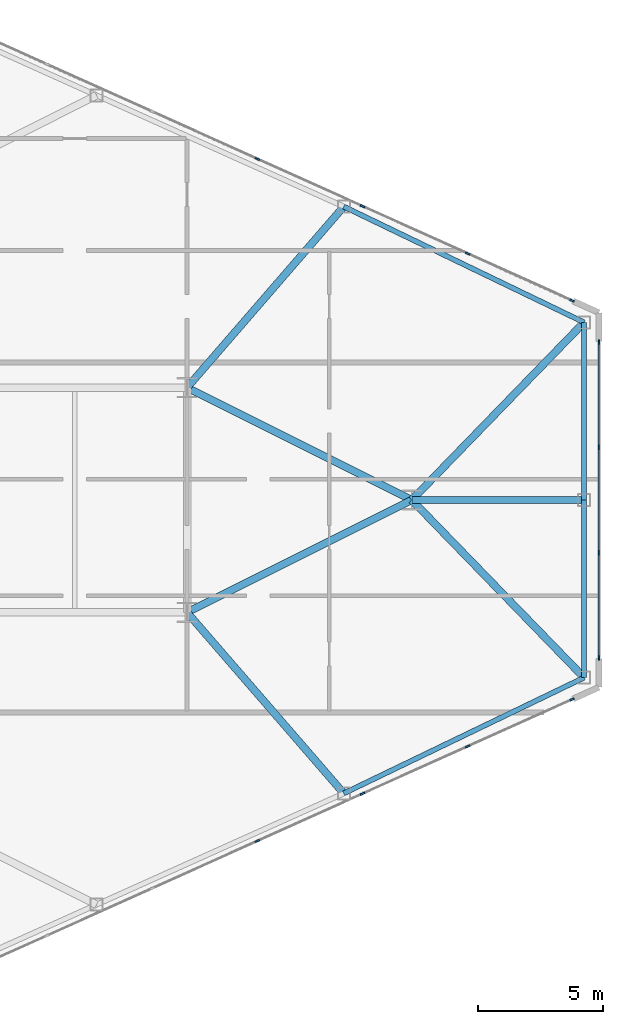
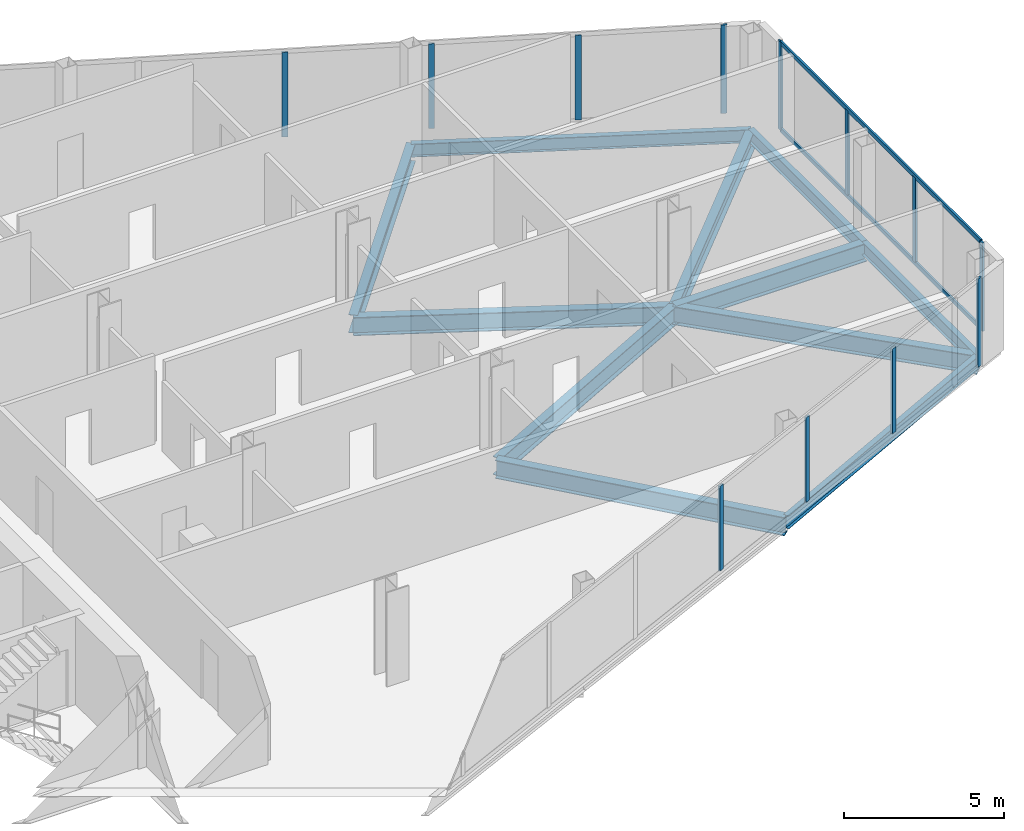
# One storey, part 16 of 27: 14 members, 11 beams, 3 elements without a shape of their own.
"""IFC4 building model written with IfcOpenShell, lengths in metres."""

from ifc_helpers import new_model, si_unit, direction, frame, origin, origin_2d, place, context, subcontext, project, spatial, rectangle, i_section, extrude, source, transform, mapped, material, layer, layer_set, material_profile, profile_set, type_object, type_shapes, element, aggregate, save


model = new_model("IFC4")

# Units and contexts
model_context = context("Model", 3, precision=1e-05, world=origin(), true_north=direction((0.0, 1.0)))
body_context = subcontext(model_context, "Body", "Model", "MODEL_VIEW")
ifc_project = project(units=[si_unit("LENGTHUNIT", "METRE"), si_unit("AREAUNIT", "SQUARE_METRE"), si_unit("VOLUMEUNIT", "CUBIC_METRE"), si_unit("PLANEANGLEUNIT", "RADIAN"), si_unit("MASSUNIT", "GRAM", prefix="KILO")], contexts=[model_context])

# Site, building, storey
site_placement = place(None, origin())
site = spatial("IfcSite", under=ifc_project, at=site_placement, CompositionType="ELEMENT")
building_placement = place(site_placement, origin())
building = spatial("IfcBuilding", under=site, at=building_placement, Name="Seokmaru Belvedere", CompositionType="ELEMENT")
storey_placement = place(building_placement, frame((0.0, 0.0, 69.300048828125)))
storey = spatial("IfcBuildingStorey", under=building, at=storey_placement, Name="L18", CompositionType="ELEMENT", Elevation=69.300048828125)

# Beams
ifc_material_1 = material(Name="Steel SM355 (355 MPa)", Category="steel")
ifc_material_profile_1 = material_profile(ifc_material_1, i_section(OverallWidth=0.300048828125, OverallDepth=0.699951171875, WebThickness=0.012939453125, FlangeThickness=0.02392578125, at=origin_2d()), Name="H-700x300x13x24")
ifc_profile_set_1 = profile_set([ifc_material_profile_1], Name="Steel SM355 (355 MPa)")
beam_type_1 = type_object("IfcBeamType", Name="Primary Floor Girder H-700", PredefinedType="BEAM", material=ifc_profile_set_1)
shared_shape_1 = source(origin(), body_context, "Body", "SweptSolid", [
    extrude(i_section(OverallWidth=0.300048828125, OverallDepth=0.699951171875, WebThickness=0.012939453125, FlangeThickness=0.02392578125, at=origin_2d()), origin(), (0.0, 0.0, 1.0), 10.062255859375),
])
for number, where, z_axis, x_axis, name in (
    (1, (54.5, -4.5, -0.570068359375), (0.894427191, 0.4472135955, 0.0), (-0.4472135955, 0.894427191, 0.0), "L18 E Apex Converging Girder 1"),
    (2, (54.5, 4.5, -0.570068359375), (0.894427191, -0.4472135955, 0.0), (0.4472135955, 0.894427191, 0.0), "L18 E Apex Converging Girder 2"),
):
    element("IfcBeam", number, at=place(storey_placement, frame(where, z_axis=z_axis, x_axis=x_axis)), inside=storey, type_object=beam_type_1, Name=name, PredefinedType="BEAM", context=body_context, shape_type="MappedRepresentation", body=[
        mapped(shared_shape_1, transform((0.0, 0.0, 0.0), scale=1.0)),
    ])
ifc_material_profile_2 = material_profile(ifc_material_1, i_section(OverallWidth=0.199951171875, OverallDepth=0.5, WebThickness=0.010009765625, FlangeThickness=0.01611328125, at=origin_2d()), Name="H-500x200x10x16")
ifc_profile_set_2 = profile_set([ifc_material_profile_2], Name="Steel SM355 (355 MPa)")
beam_type_2 = type_object("IfcBeamType", Name="Perimeter Spandrel Beam H-500", PredefinedType="SPANDREL", material=ifc_profile_set_2)
shared_shape_2 = source(origin(), body_context, "Body", "SweptSolid", [
    extrude(i_section(OverallWidth=0.199951171875, OverallDepth=0.5, WebThickness=0.010009765625, FlangeThickness=0.01611328125, at=origin_2d()), origin(), (0.0, 0.0, 1.0), 10.681396484375),
])
for number, where, z_axis, x_axis, name in (
    (3, (60.777587890625, -11.749267578125, -0.469970703125), (0.900846426616, 0.434137899352, 0.0), (-0.434137899352, 0.900846426616, 0.0), "L18 E Faceted Flank Spandrel S-4"),
    (4, (60.777587890625, 11.749267578125, -0.469970703125), (0.900846426616, -0.434137899352, 0.0), (0.434137899352, 0.900846426616, 0.0), "L18 E Faceted Flank Spandrel N-4"),
):
    element("IfcBeam", number, at=place(storey_placement, frame(where, z_axis=z_axis, x_axis=x_axis)), inside=storey, type_object=beam_type_2, Name=name, PredefinedType="SPANDREL", context=body_context, shape_type="MappedRepresentation", body=[
        mapped(shared_shape_2, transform((0.0, 0.0, 0.0), scale=1.0)),
    ])
shared_shape_3 = source(origin(), body_context, "Body", "SweptSolid", [
    extrude(i_section(OverallWidth=0.199951171875, OverallDepth=0.5, WebThickness=0.010009765625, FlangeThickness=0.01611328125, at=origin_2d()), origin(), (0.0, 0.0, 1.0), 7.112060546875),
])
type_shapes(beam_type_2, [shared_shape_2, shared_shape_3])
for number, where, z_axis, x_axis, name in (
    (5, (70.39990234375, -7.112060546875, -0.469970703125), (0.0, 1.0, 0.0), (-1.0, 0.0, 0.0), "L18 E Faceted Apex Spandrel S"),
    (6, (70.39990234375, 0.0, -0.469970703125), (0.0, 1.0, 0.0), (-1.0, 0.0, 0.0), "L18 E Faceted Apex Spandrel N"),
):
    element("IfcBeam", number, at=place(storey_placement, frame(where, z_axis=z_axis, x_axis=x_axis)), inside=storey, type_object=beam_type_2, Name=name, PredefinedType="SPANDREL", context=body_context, shape_type="MappedRepresentation", body=[
        mapped(shared_shape_3, transform((0.0, 0.0, 0.0), scale=1.0)),
    ])
shared_shape_4 = source(origin(), body_context, "Body", "SweptSolid", [
    extrude(i_section(OverallWidth=0.300048828125, OverallDepth=0.699951171875, WebThickness=0.012939453125, FlangeThickness=0.02392578125, at=origin_2d()), origin(), (0.0, 0.0, 1.0), 9.589599609375),
])
for number, where, z_axis, x_axis, name in (
    (7, (60.777587890625, -11.749267578125, -0.570068359375), (-0.654626140929, 0.755952786629, 0.0), (-0.755952786629, -0.654626140929, 0.0), "L18 E Flank Radial Floor Girder S-3"),
    (8, (60.777587890625, 11.749267578125, -0.570068359375), (-0.654626140929, -0.755952786629, 0.0), (0.755952786629, -0.654626140929, 0.0), "L18 E Flank Radial Floor Girder N-3"),
):
    element("IfcBeam", number, at=place(storey_placement, frame(where, z_axis=z_axis, x_axis=x_axis)), inside=storey, type_object=beam_type_1, Name=name, PredefinedType="BEAM", context=body_context, shape_type="MappedRepresentation", body=[
        mapped(shared_shape_4, transform((0.0, 0.0, 0.0), scale=1.0)),
    ])
shared_shape_5 = source(origin(), body_context, "Body", "SweptSolid", [
    extrude(i_section(OverallWidth=0.300048828125, OverallDepth=0.699951171875, WebThickness=0.012939453125, FlangeThickness=0.02392578125, at=origin_2d()), origin(), (0.0, 0.0, 1.0), 9.9091796875),
])
for number, where, z_axis, x_axis, name in (
    (9, (70.39990234375, -7.112060546875, -0.570068359375), (-0.6963205089, 0.717730972499, 0.0), (-0.717730972499, -0.6963205089, 0.0), "L18 E Apex Radial Floor Girder 1"),
    (10, (70.39990234375, 7.112060546875, -0.570068359375), (-0.6963205089, -0.717730972499, 0.0), (0.717730972499, -0.6963205089, 0.0), "L18 E Apex Radial Floor Girder 2"),
):
    element("IfcBeam", number, at=place(storey_placement, frame(where, z_axis=z_axis, x_axis=x_axis)), inside=storey, type_object=beam_type_1, Name=name, PredefinedType="BEAM", context=body_context, shape_type="MappedRepresentation", body=[
        mapped(shared_shape_5, transform((0.0, 0.0, 0.0), scale=1.0)),
    ])
shared_shape_6 = source(origin(), body_context, "Body", "SweptSolid", [
    extrude(i_section(OverallWidth=0.300048828125, OverallDepth=0.699951171875, WebThickness=0.012939453125, FlangeThickness=0.02392578125, at=origin_2d()), origin(), (0.0, 0.0, 1.0), 6.89990234375),
])
type_shapes(beam_type_1, [shared_shape_1, shared_shape_4, shared_shape_5, shared_shape_6])
beam_placement = place(storey_placement, frame((70.39990234375, 0.0, -0.570068359375), z_axis=(-1.0, 0.0, 0.0), x_axis=(0.0, -1.0, 0.0)))
element("IfcBeam", 11, at=beam_placement, inside=storey, type_object=beam_type_1, Name="L18 E Apex Center Radial Girder", PredefinedType="BEAM", context=body_context, shape_type="MappedRepresentation", body=[
    mapped(shared_shape_6, transform((0.0, 0.0, 0.0), scale=1.0)),
])

# Curtain wall, member
ifc_material_2 = material(Name="Bronze Triple Insulating Glass", Category="glass")
ifc_layer = layer(ifc_material_2, 0.195068359375)
ifc_layer_set = layer_set([ifc_layer], Name="Bronze Triple Insulating Glass")
curtain_wall_type = type_object("IfcCurtainWallType", Name="Lower-Mid Tapered Curtain Wall System CW-3", PredefinedType="NOTDEFINED", material=ifc_layer_set)
curtain_wall_1_placement = place(storey_placement, origin())
curtain_wall_1 = element("IfcCurtainWall", 12, at=curtain_wall_1_placement, inside=storey, type_object=curtain_wall_type, Name="L18 Curtain Wall EF1", PredefinedType="NOTDEFINED")
ifc_material_3 = material(Name="Anodised Bronze Aluminium", Category="aluminium")
ifc_material_profile_3 = material_profile(ifc_material_3, rectangle(XDim=0.070068359375, YDim=0.195068359375, at=origin_2d()), Name="CW-M-70x195")
ifc_profile_set_3 = profile_set([ifc_material_profile_3], Name="Anodised Bronze Aluminium")
member_type_1 = type_object("IfcMemberType", Name="Bronze Unitised Mullion 70x195", PredefinedType="MULLION", material=ifc_profile_set_3)
shared_shape_7 = source(origin(), body_context, "Body", "SweptSolid", [
    extrude(rectangle(XDim=0.070068359375, YDim=0.195068359375, at=origin_2d()), origin(), (0.0, 0.0, 1.0), 3.3798828125),
])
member_1_placement = place(storey_placement, frame((69.91943359375, -7.986328125, 0.0), z_axis=(0.0, 0.0, 1.0), x_axis=(-0.41036554765, 0.91192111353, 0.0)))
member_1 = element("IfcMember", 13, at=member_1_placement, type_object=member_type_1, Name="CW:L18:EF1 Mullion 10", PredefinedType="MULLION", context=body_context, shape_type="MappedRepresentation", body=[
    mapped(shared_shape_7, transform((0.0, 0.0, 0.0), scale=1.0)),
])

# Curtain wall, members
curtain_wall_2_placement = place(storey_placement, origin())
curtain_wall_2 = element("IfcCurtainWall", 14, at=curtain_wall_2_placement, inside=storey, type_object=curtain_wall_type, Name="L18 Curtain Wall EF2", PredefinedType="NOTDEFINED")
member_2_placement = place(storey_placement, frame((71.0, -6.31494140625, 0.0), z_axis=(0.0, 0.0, 1.0), x_axis=(-1.0, 0.0, 0.0)))
member_2 = element("IfcMember", 15, at=member_2_placement, type_object=member_type_1, Name="CW:L18:EF2 Mullion 1", PredefinedType="MULLION", context=body_context, shape_type="MappedRepresentation", body=[
    mapped(shared_shape_7, transform((0.0, 0.0, 0.0), scale=1.0)),
])
member_3_placement = place(storey_placement, frame((71.0, 6.31494140625, 0.0), z_axis=(0.0, 0.0, 1.0), x_axis=(-1.0, 0.0, 0.0)))
member_3 = element("IfcMember", 16, at=member_3_placement, type_object=member_type_1, Name="CW:L18:EF2 Mullion 4", PredefinedType="MULLION", context=body_context, shape_type="MappedRepresentation", body=[
    mapped(shared_shape_7, transform((0.0, 0.0, 0.0), scale=1.0)),
])

# Curtain wall, member
curtain_wall_3_placement = place(storey_placement, origin())
curtain_wall_3 = element("IfcCurtainWall", 17, at=curtain_wall_3_placement, inside=storey, type_object=curtain_wall_type, Name="L18 Curtain Wall EF3", PredefinedType="NOTDEFINED")
member_4_placement = place(storey_placement, frame((69.91943359375, 7.986328125, 0.0), z_axis=(0.0, 0.0, 1.0), x_axis=(-0.41036554765, -0.91192111353, 0.0)))
member_4 = element("IfcMember", 18, at=member_4_placement, type_object=member_type_1, Name="CW:L18:EF3 Mullion 1", PredefinedType="MULLION", context=body_context, shape_type="MappedRepresentation", body=[
    mapped(shared_shape_7, transform((0.0, 0.0, 0.0), scale=1.0)),
])

# Member
shared_shape_8 = source(origin(), body_context, "Body", "SweptSolid", [
    extrude(rectangle(XDim=0.070068359375, YDim=0.195068359375, at=origin_2d()), origin(), (0.0, 0.0, 1.0), 3.239990234375),
])
type_shapes(member_type_1, [shared_shape_7, shared_shape_8])
member_5_placement = place(storey_placement, frame((57.317138671875, -13.6572265625, 0.070068359375), z_axis=(0.0, 0.0, 1.0), x_axis=(-0.41036554765, 0.91192111353, 0.0)))
member_5 = element("IfcMember", 19, at=member_5_placement, type_object=member_type_1, Name="CW:L18:EF1 Mullion 7", PredefinedType="MULLION", context=body_context, shape_type="MappedRepresentation", body=[
    mapped(shared_shape_8, transform((0.0, 0.0, 0.0), scale=1.0)),
])

member_6_placement = place(storey_placement, frame((61.528564453125, -11.76220703125, 0.070068359375), z_axis=(0.0, 0.0, 1.0), x_axis=(-0.41036554765, 0.91192111353, 0.0)))
member_6 = element("IfcMember", 20, at=member_6_placement, type_object=member_type_1, Name="CW:L18:EF1 Mullion 8", PredefinedType="MULLION", context=body_context, shape_type="MappedRepresentation", body=[
    mapped(shared_shape_8, transform((0.0, 0.0, 0.0), scale=1.0)),
])

member_7_placement = place(storey_placement, frame((65.739990234375, -9.866943359375, 0.070068359375), z_axis=(0.0, 0.0, 1.0), x_axis=(-0.41036554765, 0.91192111353, 0.0)))
member_7 = element("IfcMember", 21, at=member_7_placement, type_object=member_type_1, Name="CW:L18:EF1 Mullion 9", PredefinedType="MULLION", context=body_context, shape_type="MappedRepresentation", body=[
    mapped(shared_shape_8, transform((0.0, 0.0, 0.0), scale=1.0)),
])

aggregate(curtain_wall_1, [member_5, member_6, member_7, member_1])

member_8_placement = place(storey_placement, frame((71.0, -2.11669921875, 0.070068359375), z_axis=(0.0, 0.0, 1.0), x_axis=(-1.0, 0.0, 0.0)))
member_8 = element("IfcMember", 22, at=member_8_placement, type_object=member_type_1, Name="CW:L18:EF2 Mullion 2", PredefinedType="MULLION", context=body_context, shape_type="MappedRepresentation", body=[
    mapped(shared_shape_8, transform((0.0, 0.0, 0.0), scale=1.0)),
])

member_9_placement = place(storey_placement, frame((71.0, 2.11669921875, 0.070068359375), z_axis=(0.0, 0.0, 1.0), x_axis=(-1.0, 0.0, 0.0)))
member_9 = element("IfcMember", 23, at=member_9_placement, type_object=member_type_1, Name="CW:L18:EF2 Mullion 3", PredefinedType="MULLION", context=body_context, shape_type="MappedRepresentation", body=[
    mapped(shared_shape_8, transform((0.0, 0.0, 0.0), scale=1.0)),
])

member_10_placement = place(storey_placement, frame((65.739990234375, 9.866943359375, 0.070068359375), z_axis=(0.0, 0.0, 1.0), x_axis=(-0.41036554765, -0.91192111353, 0.0)))
member_10 = element("IfcMember", 24, at=member_10_placement, type_object=member_type_1, Name="CW:L18:EF3 Mullion 2", PredefinedType="MULLION", context=body_context, shape_type="MappedRepresentation", body=[
    mapped(shared_shape_8, transform((0.0, 0.0, 0.0), scale=1.0)),
])

member_11_placement = place(storey_placement, frame((61.528564453125, 11.76220703125, 0.070068359375), z_axis=(0.0, 0.0, 1.0), x_axis=(-0.41036554765, -0.91192111353, 0.0)))
member_11 = element("IfcMember", 25, at=member_11_placement, type_object=member_type_1, Name="CW:L18:EF3 Mullion 3", PredefinedType="MULLION", context=body_context, shape_type="MappedRepresentation", body=[
    mapped(shared_shape_8, transform((0.0, 0.0, 0.0), scale=1.0)),
])

member_12_placement = place(storey_placement, frame((57.317138671875, 13.6572265625, 0.070068359375), z_axis=(0.0, 0.0, 1.0), x_axis=(-0.41036554765, -0.91192111353, 0.0)))
member_12 = element("IfcMember", 26, at=member_12_placement, type_object=member_type_1, Name="CW:L18:EF3 Mullion 4", PredefinedType="MULLION", context=body_context, shape_type="MappedRepresentation", body=[
    mapped(shared_shape_8, transform((0.0, 0.0, 0.0), scale=1.0)),
])

aggregate(curtain_wall_3, [member_4, member_10, member_11, member_12])

ifc_material_profile_4 = material_profile(ifc_material_3, rectangle(XDim=0.070068359375, YDim=0.1650390625, at=origin_2d()), Name="CW-T-70x165")
ifc_profile_set_4 = profile_set([ifc_material_profile_4], Name="Anodised Bronze Aluminium")
member_type_2 = type_object("IfcMemberType", Name="Bronze Unitised Transom 70x165", PredefinedType="USERDEFINED", material=ifc_profile_set_4)
shared_shape_9 = source(origin(), body_context, "Body", "SweptSolid", [
    extrude(rectangle(XDim=0.070068359375, YDim=0.1650390625, at=origin_2d()), origin(), (0.0, 0.0, 1.0), 12.56005859375),
])
type_shapes(member_type_2, [shared_shape_9])
member_13_placement = place(storey_placement, frame((71.0, -6.280029296875, 0.034912109375), z_axis=(0.0, 1.0, 0.0), x_axis=(-1.0, 0.0, 0.0)))
member_13 = element("IfcMember", 27, at=member_13_placement, type_object=member_type_2, Name="CW:L18:EF2 Continuous Transom 1", ObjectType="TRANSOM", PredefinedType="USERDEFINED", context=body_context, shape_type="MappedRepresentation", body=[
    mapped(shared_shape_9, transform((0.0, 0.0, 0.0), scale=1.0)),
])

member_14_placement = place(storey_placement, frame((71.0, -6.280029296875, 3.344970703125), z_axis=(0.0, 1.0, 0.0), x_axis=(-1.0, 0.0, 0.0)))
member_14 = element("IfcMember", 28, at=member_14_placement, type_object=member_type_2, Name="CW:L18:EF2 Continuous Transom 2", ObjectType="TRANSOM", PredefinedType="USERDEFINED", context=body_context, shape_type="MappedRepresentation", body=[
    mapped(shared_shape_9, transform((0.0, 0.0, 0.0), scale=1.0)),
])

aggregate(curtain_wall_2, [member_2, member_8, member_9, member_3, member_13, member_14])

save(model, "model.ifc")
